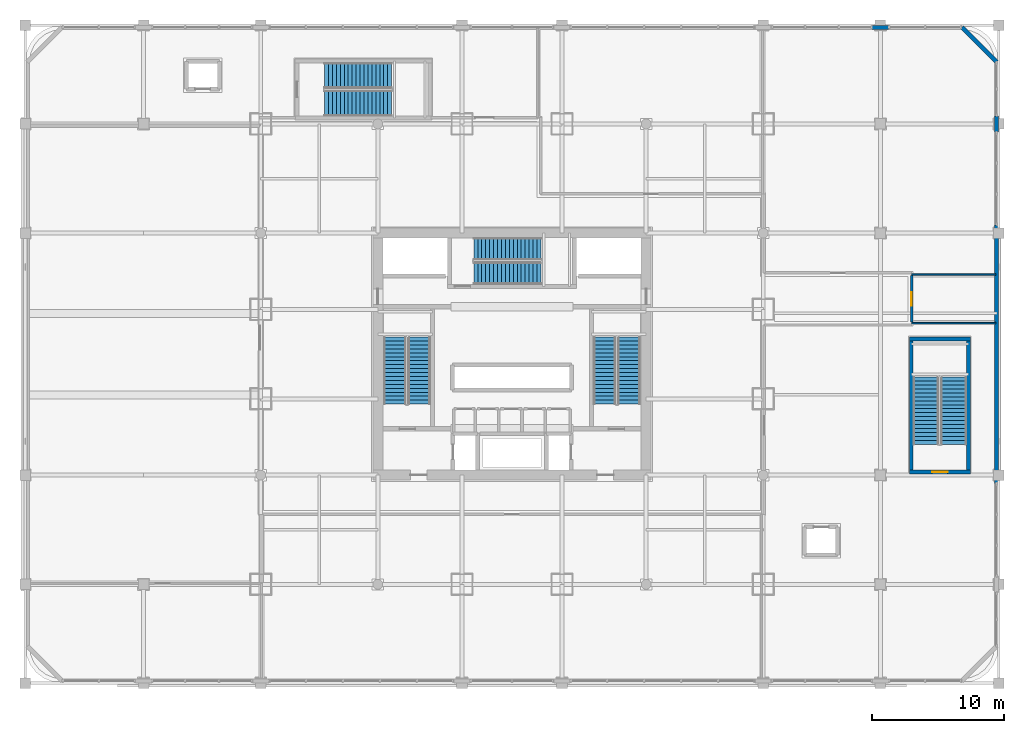
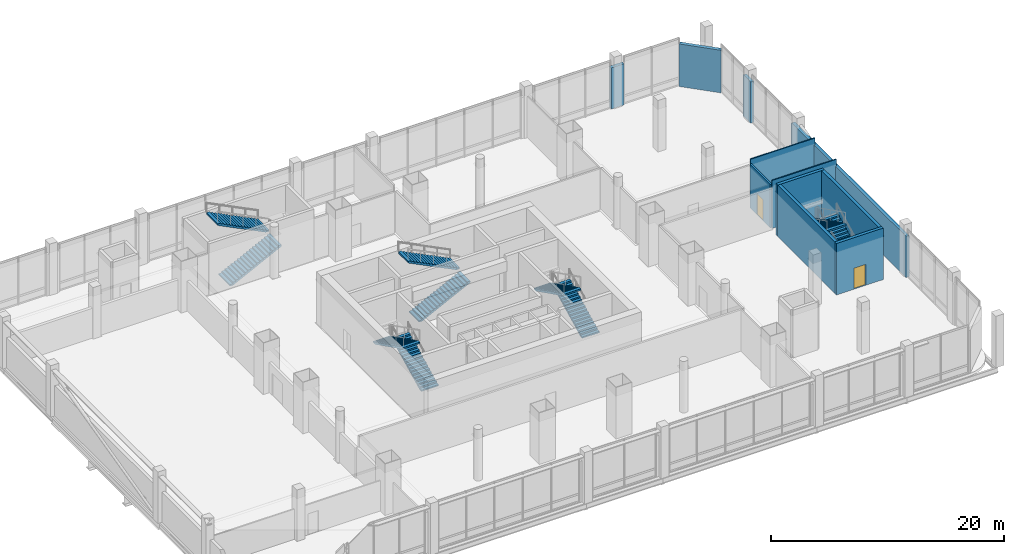
# One storey, part 25 of 35: 11 walls, 10 stair flights, 2 doors, 2 openings, 5 elements without a shape of their own.
"""IFC4 building model written with IfcOpenShell, lengths in metres."""

from ifc_helpers import new_model, si_unit, direction, frame, frame_2d, origin, place, context, subcontext, project, spatial, polyline, rectangle, outline, extrude, material, layer, layer_set, type_object, element, fill, aggregate, save


model = new_model("IFC4")

# Units and contexts
model_context = context("Model", 3, precision=1e-05, world=origin(), true_north=direction((0.0, 1.0)))
body_context = subcontext(model_context, "Body", "Model", "MODEL_VIEW")
ifc_project = project(units=[si_unit("LENGTHUNIT", "METRE"), si_unit("AREAUNIT", "SQUARE_METRE"), si_unit("VOLUMEUNIT", "CUBIC_METRE"), si_unit("PLANEANGLEUNIT", "RADIAN"), si_unit("MASSUNIT", "GRAM", prefix="KILO")], contexts=[model_context])

# Site, building, storey
site_placement = place(None, origin())
site = spatial("IfcSite", under=ifc_project, at=site_placement, CompositionType="ELEMENT")
building_placement = place(site_placement, origin())
building = spatial("IfcBuilding", under=site, at=building_placement, Name="Punatoya Terracotta Tower", CompositionType="ELEMENT")
storey_placement = place(building_placement, frame((0.0, 0.0, 16.800048828125)))
storey = spatial("IfcBuildingStorey", under=building, at=storey_placement, Name="L03", CompositionType="ELEMENT", Elevation=16.800048828125)

# Wall, opening, door
ifc_material_1 = material(Name="Gypsum Fireboard + Steel Stud", Category="steel")
ifc_layer_1 = layer(ifc_material_1, 0.179931640625)
ifc_layer_set_1 = layer_set([ifc_layer_1], Name="Gypsum Fireboard + Steel Stud")
wall_type_1 = type_object("IfcWallType", Name="WL-CORR-180", PredefinedType="PARTITIONING", material=ifc_layer_set_1)
wall_1_placement = place(storey_placement, frame((30.3798828125, 2.43994140625, 0.0), z_axis=(0.0, 0.0, 1.0), x_axis=(0.0, 1.0, 0.0)))
wall_1 = element("IfcWall", 1, at=wall_1_placement, inside=storey, type_object=wall_type_1, Name="L03 East Breakout Briefing Room Partition 31", PredefinedType="PARTITIONING", context=body_context, shape_type="SweptSolid", body=[
    extrude(rectangle(XDim=3.52001953125, YDim=0.179931640625, at=frame_2d((1.760009765625, 0.0))), origin(), (0.0, 0.0, 1.0), 4.56396484375),
])
opening_1_placement = place(wall_1_placement, frame((1.25, 0.0, 0.0)))
opening_1 = element("IfcOpeningElement", 2, at=opening_1_placement, cuts=wall_1, Name="Opening MD-01", PredefinedType="OPENING", context=body_context, shape_type="SweptSolid", body=[
    extrude(rectangle(XDim=1.02001953125, YDim=2.199951171875, at=frame_2d((0.510009765625, 1.10009765625))), frame((0.0, 0.099853515625, 0.0), z_axis=(0.0, -1.0, 0.0), x_axis=(1.0, 0.0, 0.0)), (0.0, 0.0, 1.0), 0.199951171875),
])
ifc_material_2 = material(Name="Aluminium + Acoustic Glass Leaf", Category="aluminium")
door_type_1 = type_object("IfcDoorType", Name="DR-MTG-1020", OperationType="NOTDEFINED", PredefinedType="DOOR", material=ifc_material_2)
door_1_placement = place(opening_1_placement, origin())
door_1 = element("IfcDoor", 3, at=door_1_placement, inside=storey, type_object=door_type_1, Name="L03 East Breakout Briefing Room Door", OperationType="SINGLE_SWING_RIGHT", OverallHeight=2.199951171875, OverallWidth=1.02001953125, PredefinedType="DOOR", context=body_context, shape_type="SweptSolid", body=[
    extrude(rectangle(XDim=1.02001953125, YDim=2.199951171875, at=frame_2d((0.510009765625, 1.10009765625))), frame((0.0, 0.02490234375, 0.0), z_axis=(0.0, -1.0, 0.0), x_axis=(1.0, 0.0, 0.0)), (0.0, 0.0, 1.0), 0.050048828125),
])
fill(opening_1, door_1)

# Walls
ifc_material_3 = material(Name="Precast concrete C40/50", Category="concrete")
ifc_layer_2 = layer(ifc_material_3, 0.320068359375)
ifc_layer_set_2 = layer_set([ifc_layer_2], Name="Precast concrete C40/50")
wall_type_2 = type_object("IfcWallType", Name="WL-EXT-320", PredefinedType="SOLIDWALL", material=ifc_layer_set_2)
wall_2_placement = place(storey_placement, frame((28.6201171875, 24.840087890625, 0.0), z_axis=(0.0, 0.0, 1.0), x_axis=(-1.0, 0.0, 0.0)))
element("IfcWall", 4, at=wall_2_placement, inside=storey, type_object=wall_type_2, Name="L03 North Column Cladding Pier 6", PredefinedType="SOLIDWALL", context=body_context, shape_type="SweptSolid", body=[
    extrude(rectangle(XDim=1.240234375, YDim=0.320068359375, at=frame_2d((0.6201171875, 0.0))), origin(), (0.0, 0.0, 1.0), 4.31396484375),
])
wall_3_placement = place(storey_placement, frame((36.840087890625, 9.820068359375, 0.0), z_axis=(0.0, 0.0, 1.0), x_axis=(0.0, -1.0, 0.0)))
element("IfcWall", 5, at=wall_3_placement, inside=storey, type_object=wall_type_2, Name="L03 East Braced Terracotta Shear Wall", PredefinedType="SOLIDWALL", context=body_context, shape_type="SweptSolid", body=[
    extrude(rectangle(XDim=19.64013671875, YDim=0.320068359375, at=frame_2d((9.820068359375, 0.0))), origin(), (0.0, 0.0, 1.0), 4.31396484375),
])
wall_4_placement = place(storey_placement, frame((36.840087890625, 18.1201171875, 0.0), z_axis=(0.0, 0.0, 1.0), x_axis=(0.0, -1.0, 0.0)))
element("IfcWall", 6, at=wall_4_placement, inside=storey, type_object=wall_type_2, Name="L03 East Pier 11-G", PredefinedType="SOLIDWALL", context=body_context, shape_type="SweptSolid", body=[
    extrude(rectangle(XDim=1.240234375, YDim=0.320068359375, at=frame_2d((0.6201171875, 0.0))), origin(), (0.0, 0.0, 1.0), 4.31396484375),
])
wall_5_placement = place(storey_placement, frame((34.199951171875, 24.840087890625, 0.0), z_axis=(0.0, 0.0, 1.0), x_axis=(0.707106781187, -0.707106781187, 0.0)))
element("IfcWall", 7, at=wall_5_placement, inside=storey, type_object=wall_type_2, Name="L03 Terracotta Corner Pier 3", PredefinedType="SOLIDWALL", context=body_context, shape_type="SweptSolid", body=[
    extrude(rectangle(XDim=3.733642578125, YDim=0.320068359375, at=frame_2d((1.86669921875, 0.0))), origin(), (0.0, 0.0, 1.0), 4.4638671875),
])
ifc_material_4 = material(Name="Gypsum Partition + Steel Stud", Category="steel")
ifc_layer_3 = layer(ifc_material_4, 0.1201171875)
ifc_layer_set_3 = layer_set([ifc_layer_3], Name="Gypsum Partition + Steel Stud")
wall_type_3 = type_object("IfcWallType", Name="WL-OFF-120", PredefinedType="PARTITIONING", material=ifc_layer_set_3)
for number, where, z_axis, x_axis, name in (
    (8, (30.3798828125, 2.360107421875, 0.0), (0.0, 0.0, 1.0), (1.0, 0.0, 0.0), "L03 South-East Townhall Seminar Room Partition 24"),
    (9, (36.780029296875, 6.0400390625, 0.0), (0.0, 0.0, 1.0), (-1.0, 0.0, 0.0), "L03 North-East Executive Directors' Office Suite Partition 25"),
):
    element("IfcWall", number, at=place(storey_placement, frame(where, z_axis=z_axis, x_axis=x_axis)), inside=storey, type_object=wall_type_3, Name=name, PredefinedType="PARTITIONING", context=body_context, shape_type="SweptSolid", body=[
        extrude(rectangle(XDim=6.400146484375, YDim=0.1201171875, at=frame_2d((3.2001953125, 0.0))), origin(), (0.0, 0.0, 1.0), 5.02001953125),
    ])

# Wall, opening, door
ifc_material_5 = material(Name="Concrete C40/50", Category="concrete")
ifc_layer_4 = layer(ifc_material_5, 0.300048828125)
ifc_layer_set_4 = layer_set([ifc_layer_4], Name="Concrete C40/50")
wall_type_4 = type_object("IfcWallType", Name="WL-SHF-300", PredefinedType="SOLIDWALL", material=ifc_layer_set_4)
wall_6_placement = place(storey_placement, frame((30.199951171875, -8.949951171875, 0.0), z_axis=(0.0, 0.0, 1.0), x_axis=(1.0, 0.0, 0.0)))
wall_6 = element("IfcWall", 10, at=wall_6_placement, inside=storey, type_object=wall_type_4, Name="L03 ST-P2 South Structural Shaft Wall", PredefinedType="SOLIDWALL", context=body_context, shape_type="SweptSolid", body=[
    extrude(rectangle(XDim=4.650146484375, YDim=0.300048828125, at=frame_2d((2.3251953125, 0.0))), origin(), (0.0, 0.0, 1.0), 5.39990234375),
])
opening_2_placement = place(wall_6_placement, frame((1.735107421875, 0.0, 0.0)))
opening_2 = element("IfcOpeningElement", 11, at=opening_2_placement, cuts=wall_6, Name="Opening SD-01", PredefinedType="OPENING", context=body_context, shape_type="SweptSolid", body=[
    extrude(rectangle(XDim=1.179931640625, YDim=2.199951171875, at=frame_2d((0.58984375, 1.10009765625))), frame((0.0, 0.159912109375, 0.0), z_axis=(0.0, -1.0, 0.0), x_axis=(1.0, 0.0, 0.0)), (0.0, 0.0, 1.0), 0.320068359375),
])
ifc_material_6 = material(Name="Galvanised Steel Pressurized Stair Fire Door", Category="steel")
door_type_2 = type_object("IfcDoorType", Name="DR-STR-1180", OperationType="NOTDEFINED", PredefinedType="DOOR", material=ifc_material_6)
door_2_placement = place(opening_2_placement, origin())
door_2 = element("IfcDoor", 12, at=door_2_placement, inside=storey, type_object=door_type_2, Name="L03 Podium Stair ST-P2 Fire Door", OperationType="SINGLE_SWING_RIGHT", OverallHeight=2.199951171875, OverallWidth=1.179931640625, PredefinedType="DOOR", context=body_context, shape_type="SweptSolid", body=[
    extrude(rectangle(XDim=1.179931640625, YDim=2.199951171875, at=frame_2d((0.58984375, 1.10009765625))), frame((0.0, 0.02490234375, 0.0), z_axis=(0.0, -1.0, 0.0), x_axis=(1.0, 0.0, 0.0)), (0.0, 0.0, 1.0), 0.050048828125),
])
fill(opening_2, door_2)

# Walls
wall_7_placement = place(storey_placement, frame((34.85009765625, 1.14990234375, 0.0), z_axis=(0.0, 0.0, 1.0), x_axis=(-1.0, 0.0, 0.0)))
element("IfcWall", 13, at=wall_7_placement, inside=storey, type_object=wall_type_4, Name="L03 ST-P2 North Structural Shaft Wall", PredefinedType="SOLIDWALL", context=body_context, shape_type="SweptSolid", body=[
    extrude(rectangle(XDim=4.650146484375, YDim=0.300048828125, at=frame_2d((2.3251953125, 0.0))), origin(), (0.0, 0.0, 1.0), 5.39990234375),
])
for number, where, z_axis, x_axis, name in (
    (14, (30.35009765625, -8.800048828125, 0.0), (0.0, 0.0, 1.0), (0.0, 1.0, 0.0), "L03 ST-P2 West Structural Shaft Wall"),
    (15, (34.699951171875, 1.0, 0.0), (0.0, 0.0, 1.0), (0.0, -1.0, 0.0), "L03 ST-P2 East Structural Shaft Wall"),
):
    element("IfcWall", number, at=place(storey_placement, frame(where, z_axis=z_axis, x_axis=x_axis)), inside=storey, type_object=wall_type_4, Name=name, PredefinedType="SOLIDWALL", context=body_context, shape_type="SweptSolid", body=[
        extrude(rectangle(XDim=9.800048828125, YDim=0.300048828125, at=frame_2d((4.89990234375, 0.0))), origin(), (0.0, 0.0, 1.0), 5.39990234375),
    ])

# Stair, stair flights
stair_type_1 = type_object("IfcStairType", Name="STR-CORE-1550", PredefinedType="HALF_TURN_STAIR", material=ifc_material_5)
stair_1_placement = place(storey_placement, origin())
stair_1 = element("IfcStair", 16, at=stair_1_placement, inside=storey, type_object=stair_type_1, Name="L03 Protected Core Exit Stair ST-1", PredefinedType="HALF_TURN_STAIR")
stair_flight_type_1 = type_object("IfcStairFlightType", Name="SFL-CORE-1550", PredefinedType="STRAIGHT", material=ifc_material_5)
stair_flight_1_placement = place(storey_placement, frame((-7.050048828125, -3.800048828125, 0.0), z_axis=(0.0, 0.0, 1.0), x_axis=(0.0, 1.0, 0.0)))
stair_flight_1 = element("IfcStairFlight", 17, at=stair_flight_1_placement, type_object=stair_flight_type_1, Name="ST-1 flight 1", NumberOfRisers=18, NumberOfTreads=17, PredefinedType="STRAIGHT", RiserHeight=0.15, TreadLength=0.3, context=body_context, shape_type="SweptSolid", body=[
    extrude(outline(polyline([(0.0, 0.0), (0.0, 0.14990234375), (0.300048828125, 0.14990234375), (0.300048828125, 0.300048828125), (0.60009765625, 0.300048828125), (0.60009765625, 0.449951171875), (0.89990234375, 0.449951171875), (0.89990234375, 0.60009765625), (1.199951171875, 0.60009765625), (1.199951171875, 0.75), (1.5, 0.75), (1.5, 0.89990234375), (1.800048828125, 0.89990234375), (1.800048828125, 1.050048828125), (2.10009765625, 1.050048828125), (2.10009765625, 1.199951171875), (2.39990234375, 1.199951171875), (2.39990234375, 1.35009765625), (2.699951171875, 1.35009765625), (2.699951171875, 1.5), (3.0, 1.5), (3.0, 1.64990234375), (3.300048828125, 1.64990234375), (3.300048828125, 1.800048828125), (3.60009765625, 1.800048828125), (3.60009765625, 1.949951171875), (3.89990234375, 1.949951171875), (3.89990234375, 2.10009765625), (4.199951171875, 2.10009765625), (4.199951171875, 2.25), (4.5, 2.25), (4.5, 2.39990234375), (4.800048828125, 2.39990234375), (4.800048828125, 2.550048828125), (5.10009765625, 2.550048828125), (5.10009765625, 2.699951171875), (5.10009765625, 2.38232421875), (0.335205078125, 0.0), (0.0, 0.0)])), frame((0.0, 0.85009765625, 0.0), z_axis=(0.0, -1.0, 0.0), x_axis=(1.0, 0.0, 0.0)), (0.0, 0.0, 1.0), 1.699951171875),
])
stair_flight_2_placement = place(storey_placement, frame((-8.89990234375, 1.300048828125, 2.699951171875), z_axis=(0.0, 0.0, 1.0), x_axis=(0.0, -1.0, 0.0)))
stair_flight_2 = element("IfcStairFlight", 18, at=stair_flight_2_placement, type_object=stair_flight_type_1, Name="ST-1 flight 2", NumberOfRisers=18, NumberOfTreads=17, PredefinedType="STRAIGHT", RiserHeight=0.15, TreadLength=0.3, context=body_context, shape_type="SweptSolid", body=[
    extrude(outline(polyline([(0.0, 0.0), (0.0, 0.14990234375), (0.300048828125, 0.14990234375), (0.300048828125, 0.300048828125), (0.60009765625, 0.300048828125), (0.60009765625, 0.449951171875), (0.89990234375, 0.449951171875), (0.89990234375, 0.60009765625), (1.199951171875, 0.60009765625), (1.199951171875, 0.75), (1.5, 0.75), (1.5, 0.89990234375), (1.800048828125, 0.89990234375), (1.800048828125, 1.050048828125), (2.10009765625, 1.050048828125), (2.10009765625, 1.199951171875), (2.39990234375, 1.199951171875), (2.39990234375, 1.35009765625), (2.699951171875, 1.35009765625), (2.699951171875, 1.5), (3.0, 1.5), (3.0, 1.64990234375), (3.300048828125, 1.64990234375), (3.300048828125, 1.800048828125), (3.60009765625, 1.800048828125), (3.60009765625, 1.949951171875), (3.89990234375, 1.949951171875), (3.89990234375, 2.10009765625), (4.199951171875, 2.10009765625), (4.199951171875, 2.25), (4.5, 2.25), (4.5, 2.39990234375), (4.800048828125, 2.39990234375), (4.800048828125, 2.550048828125), (5.10009765625, 2.550048828125), (5.10009765625, 2.699951171875), (5.10009765625, 2.38232421875), (0.335205078125, 0.0), (0.0, 0.0)])), frame((0.0, 0.85009765625, 0.0), z_axis=(0.0, -1.0, 0.0), x_axis=(1.0, 0.0, 0.0)), (0.0, 0.0, 1.0), 1.699951171875),
])
aggregate(stair_1, [stair_flight_1, stair_flight_2])

stair_type_2 = type_object("IfcStairType", Name="STR-LOB-1650", PredefinedType="HALF_TURN_STAIR", material=ifc_material_5)
stair_2_placement = place(storey_placement, origin())
stair_2 = element("IfcStair", 19, at=stair_2_placement, inside=storey, type_object=stair_type_2, Name="L03 Protected Core Exit Stair ST-2", PredefinedType="HALF_TURN_STAIR")
stair_flight_type_2 = type_object("IfcStairFlightType", Name="SFL-LOB-1650", PredefinedType="STRAIGHT", material=ifc_material_5)
stair_flight_3_placement = place(storey_placement, frame((8.89990234375, -3.800048828125, 0.0), z_axis=(0.0, 0.0, 1.0), x_axis=(0.0, 1.0, 0.0)))
stair_flight_3 = element("IfcStairFlight", 20, at=stair_flight_3_placement, type_object=stair_flight_type_2, Name="ST-2 flight 1", NumberOfRisers=18, NumberOfTreads=17, PredefinedType="STRAIGHT", RiserHeight=0.15, TreadLength=0.3, context=body_context, shape_type="SweptSolid", body=[
    extrude(outline(polyline([(0.0, 0.0), (0.0, 0.14990234375), (0.300048828125, 0.14990234375), (0.300048828125, 0.300048828125), (0.60009765625, 0.300048828125), (0.60009765625, 0.449951171875), (0.89990234375, 0.449951171875), (0.89990234375, 0.60009765625), (1.199951171875, 0.60009765625), (1.199951171875, 0.75), (1.5, 0.75), (1.5, 0.89990234375), (1.800048828125, 0.89990234375), (1.800048828125, 1.050048828125), (2.10009765625, 1.050048828125), (2.10009765625, 1.199951171875), (2.39990234375, 1.199951171875), (2.39990234375, 1.35009765625), (2.699951171875, 1.35009765625), (2.699951171875, 1.5), (3.0, 1.5), (3.0, 1.64990234375), (3.300048828125, 1.64990234375), (3.300048828125, 1.800048828125), (3.60009765625, 1.800048828125), (3.60009765625, 1.949951171875), (3.89990234375, 1.949951171875), (3.89990234375, 2.10009765625), (4.199951171875, 2.10009765625), (4.199951171875, 2.25), (4.5, 2.25), (4.5, 2.39990234375), (4.800048828125, 2.39990234375), (4.800048828125, 2.550048828125), (5.10009765625, 2.550048828125), (5.10009765625, 2.699951171875), (5.10009765625, 2.38232421875), (0.335205078125, 0.0), (0.0, 0.0)])), frame((0.0, 0.85009765625, 0.0), z_axis=(0.0, -1.0, 0.0), x_axis=(1.0, 0.0, 0.0)), (0.0, 0.0, 1.0), 1.699951171875),
])
stair_flight_4_placement = place(storey_placement, frame((7.050048828125, 1.300048828125, 2.699951171875), z_axis=(0.0, 0.0, 1.0), x_axis=(0.0, -1.0, 0.0)))
stair_flight_4 = element("IfcStairFlight", 21, at=stair_flight_4_placement, type_object=stair_flight_type_2, Name="ST-2 flight 2", NumberOfRisers=18, NumberOfTreads=17, PredefinedType="STRAIGHT", RiserHeight=0.15, TreadLength=0.3, context=body_context, shape_type="SweptSolid", body=[
    extrude(outline(polyline([(0.0, 0.0), (0.0, 0.14990234375), (0.300048828125, 0.14990234375), (0.300048828125, 0.300048828125), (0.60009765625, 0.300048828125), (0.60009765625, 0.449951171875), (0.89990234375, 0.449951171875), (0.89990234375, 0.60009765625), (1.199951171875, 0.60009765625), (1.199951171875, 0.75), (1.5, 0.75), (1.5, 0.89990234375), (1.800048828125, 0.89990234375), (1.800048828125, 1.050048828125), (2.10009765625, 1.050048828125), (2.10009765625, 1.199951171875), (2.39990234375, 1.199951171875), (2.39990234375, 1.35009765625), (2.699951171875, 1.35009765625), (2.699951171875, 1.5), (3.0, 1.5), (3.0, 1.64990234375), (3.300048828125, 1.64990234375), (3.300048828125, 1.800048828125), (3.60009765625, 1.800048828125), (3.60009765625, 1.949951171875), (3.89990234375, 1.949951171875), (3.89990234375, 2.10009765625), (4.199951171875, 2.10009765625), (4.199951171875, 2.25), (4.5, 2.25), (4.5, 2.39990234375), (4.800048828125, 2.39990234375), (4.800048828125, 2.550048828125), (5.10009765625, 2.550048828125), (5.10009765625, 2.699951171875), (5.10009765625, 2.38232421875), (0.335205078125, 0.0), (0.0, 0.0)])), frame((0.0, 0.85009765625, 0.0), z_axis=(0.0, -1.0, 0.0), x_axis=(1.0, 0.0, 0.0)), (0.0, 0.0, 1.0), 1.699951171875),
])
aggregate(stair_2, [stair_flight_3, stair_flight_4])

stair_type_3 = type_object("IfcStairType", Name="STR-POD-1800", PredefinedType="HALF_TURN_STAIR", material=ifc_material_5)
stair_3_placement = place(storey_placement, origin())
stair_3 = element("IfcStair", 22, at=stair_3_placement, inside=storey, type_object=stair_type_3, Name="L03 Podium North-West Exit Stair ST-P1", PredefinedType="HALF_TURN_STAIR")
stair_flight_type_3 = type_object("IfcStairFlightType", Name="SFL-POD-1800", PredefinedType="STRAIGHT", material=ifc_material_5)
stair_flight_5_placement = place(storey_placement, frame((-14.25, 19.074951171875, 0.0), z_axis=(0.0, 0.0, 1.0), x_axis=(1.0, 0.0, 0.0)))
stair_flight_5 = element("IfcStairFlight", 23, at=stair_flight_5_placement, type_object=stair_flight_type_3, Name="ST-P1 flight 1", NumberOfRisers=18, NumberOfTreads=17, PredefinedType="STRAIGHT", RiserHeight=0.15, TreadLength=0.3, context=body_context, shape_type="SweptSolid", body=[
    extrude(outline(polyline([(0.0, 0.0), (0.0, 0.14990234375), (0.300048828125, 0.14990234375), (0.300048828125, 0.300048828125), (0.60009765625, 0.300048828125), (0.60009765625, 0.449951171875), (0.89990234375, 0.449951171875), (0.89990234375, 0.60009765625), (1.199951171875, 0.60009765625), (1.199951171875, 0.75), (1.5, 0.75), (1.5, 0.89990234375), (1.800048828125, 0.89990234375), (1.800048828125, 1.050048828125), (2.10009765625, 1.050048828125), (2.10009765625, 1.199951171875), (2.39990234375, 1.199951171875), (2.39990234375, 1.35009765625), (2.699951171875, 1.35009765625), (2.699951171875, 1.5), (3.0, 1.5), (3.0, 1.64990234375), (3.300048828125, 1.64990234375), (3.300048828125, 1.800048828125), (3.60009765625, 1.800048828125), (3.60009765625, 1.949951171875), (3.89990234375, 1.949951171875), (3.89990234375, 2.10009765625), (4.199951171875, 2.10009765625), (4.199951171875, 2.25), (4.5, 2.25), (4.5, 2.39990234375), (4.800048828125, 2.39990234375), (4.800048828125, 2.550048828125), (5.10009765625, 2.550048828125), (5.10009765625, 2.699951171875), (5.10009765625, 2.38232421875), (0.335205078125, 0.0), (0.0, 0.0)])), frame((0.0, 0.97509765625, 0.0), z_axis=(0.0, -1.0, 0.0), x_axis=(1.0, 0.0, 0.0)), (0.0, 0.0, 1.0), 1.949951171875),
])
stair_flight_6_placement = place(storey_placement, frame((-9.14990234375, 21.175048828125, 2.699951171875), z_axis=(0.0, 0.0, 1.0), x_axis=(-1.0, 0.0, 0.0)))
stair_flight_6 = element("IfcStairFlight", 24, at=stair_flight_6_placement, type_object=stair_flight_type_3, Name="ST-P1 flight 2", NumberOfRisers=18, NumberOfTreads=17, PredefinedType="STRAIGHT", RiserHeight=0.15, TreadLength=0.3, context=body_context, shape_type="SweptSolid", body=[
    extrude(outline(polyline([(0.0, 0.0), (0.0, 0.14990234375), (0.300048828125, 0.14990234375), (0.300048828125, 0.300048828125), (0.60009765625, 0.300048828125), (0.60009765625, 0.449951171875), (0.89990234375, 0.449951171875), (0.89990234375, 0.60009765625), (1.199951171875, 0.60009765625), (1.199951171875, 0.75), (1.5, 0.75), (1.5, 0.89990234375), (1.800048828125, 0.89990234375), (1.800048828125, 1.050048828125), (2.10009765625, 1.050048828125), (2.10009765625, 1.199951171875), (2.39990234375, 1.199951171875), (2.39990234375, 1.35009765625), (2.699951171875, 1.35009765625), (2.699951171875, 1.5), (3.0, 1.5), (3.0, 1.64990234375), (3.300048828125, 1.64990234375), (3.300048828125, 1.800048828125), (3.60009765625, 1.800048828125), (3.60009765625, 1.949951171875), (3.89990234375, 1.949951171875), (3.89990234375, 2.10009765625), (4.199951171875, 2.10009765625), (4.199951171875, 2.25), (4.5, 2.25), (4.5, 2.39990234375), (4.800048828125, 2.39990234375), (4.800048828125, 2.550048828125), (5.10009765625, 2.550048828125), (5.10009765625, 2.699951171875), (5.10009765625, 2.38232421875), (0.335205078125, 0.0), (0.0, 0.0)])), frame((0.0, 0.97509765625, 0.0), z_axis=(0.0, -1.0, 0.0), x_axis=(1.0, 0.0, 0.0)), (0.0, 0.0, 1.0), 1.949951171875),
])
aggregate(stair_3, [stair_flight_5, stair_flight_6])

stair_4_placement = place(storey_placement, origin())
stair_4 = element("IfcStair", 25, at=stair_4_placement, inside=storey, type_object=stair_type_3, Name="L03 Podium East Exit Stair ST-P2", PredefinedType="HALF_TURN_STAIR")
stair_flight_7_placement = place(storey_placement, frame((33.574951171875, -6.85009765625, 0.0), z_axis=(0.0, 0.0, 1.0), x_axis=(0.0, 1.0, 0.0)))
stair_flight_7 = element("IfcStairFlight", 26, at=stair_flight_7_placement, type_object=stair_flight_type_3, Name="ST-P2 flight 1", NumberOfRisers=18, NumberOfTreads=17, PredefinedType="STRAIGHT", RiserHeight=0.15, TreadLength=0.3, context=body_context, shape_type="SweptSolid", body=[
    extrude(outline(polyline([(0.0, 0.0), (0.0, 0.14990234375), (0.300048828125, 0.14990234375), (0.300048828125, 0.300048828125), (0.60009765625, 0.300048828125), (0.60009765625, 0.449951171875), (0.89990234375, 0.449951171875), (0.89990234375, 0.60009765625), (1.199951171875, 0.60009765625), (1.199951171875, 0.75), (1.5, 0.75), (1.5, 0.89990234375), (1.800048828125, 0.89990234375), (1.800048828125, 1.050048828125), (2.10009765625, 1.050048828125), (2.10009765625, 1.199951171875), (2.39990234375, 1.199951171875), (2.39990234375, 1.35009765625), (2.699951171875, 1.35009765625), (2.699951171875, 1.5), (3.0, 1.5), (3.0, 1.64990234375), (3.300048828125, 1.64990234375), (3.300048828125, 1.800048828125), (3.60009765625, 1.800048828125), (3.60009765625, 1.949951171875), (3.89990234375, 1.949951171875), (3.89990234375, 2.10009765625), (4.199951171875, 2.10009765625), (4.199951171875, 2.25), (4.5, 2.25), (4.5, 2.39990234375), (4.800048828125, 2.39990234375), (4.800048828125, 2.550048828125), (5.10009765625, 2.550048828125), (5.10009765625, 2.699951171875), (5.10009765625, 2.38232421875), (0.335205078125, 0.0), (0.0, 0.0)])), frame((0.0, 0.97509765625, 0.0), z_axis=(0.0, -1.0, 0.0), x_axis=(1.0, 0.0, 0.0)), (0.0, 0.0, 1.0), 1.949951171875),
])
stair_flight_8_placement = place(storey_placement, frame((31.47509765625, -1.75, 2.699951171875), z_axis=(0.0, 0.0, 1.0), x_axis=(0.0, -1.0, 0.0)))
stair_flight_8 = element("IfcStairFlight", 27, at=stair_flight_8_placement, type_object=stair_flight_type_3, Name="ST-P2 flight 2", NumberOfRisers=18, NumberOfTreads=17, PredefinedType="STRAIGHT", RiserHeight=0.15, TreadLength=0.3, context=body_context, shape_type="SweptSolid", body=[
    extrude(outline(polyline([(0.0, 0.0), (0.0, 0.14990234375), (0.300048828125, 0.14990234375), (0.300048828125, 0.300048828125), (0.60009765625, 0.300048828125), (0.60009765625, 0.449951171875), (0.89990234375, 0.449951171875), (0.89990234375, 0.60009765625), (1.199951171875, 0.60009765625), (1.199951171875, 0.75), (1.5, 0.75), (1.5, 0.89990234375), (1.800048828125, 0.89990234375), (1.800048828125, 1.050048828125), (2.10009765625, 1.050048828125), (2.10009765625, 1.199951171875), (2.39990234375, 1.199951171875), (2.39990234375, 1.35009765625), (2.699951171875, 1.35009765625), (2.699951171875, 1.5), (3.0, 1.5), (3.0, 1.64990234375), (3.300048828125, 1.64990234375), (3.300048828125, 1.800048828125), (3.60009765625, 1.800048828125), (3.60009765625, 1.949951171875), (3.89990234375, 1.949951171875), (3.89990234375, 2.10009765625), (4.199951171875, 2.10009765625), (4.199951171875, 2.25), (4.5, 2.25), (4.5, 2.39990234375), (4.800048828125, 2.39990234375), (4.800048828125, 2.550048828125), (5.10009765625, 2.550048828125), (5.10009765625, 2.699951171875), (5.10009765625, 2.38232421875), (0.335205078125, 0.0), (0.0, 0.0)])), frame((0.0, 0.97509765625, 0.0), z_axis=(0.0, -1.0, 0.0), x_axis=(1.0, 0.0, 0.0)), (0.0, 0.0, 1.0), 1.949951171875),
])
aggregate(stair_4, [stair_flight_7, stair_flight_8])

stair_type_4 = type_object("IfcStairType", Name="STR-TER-1450", PredefinedType="HALF_TURN_STAIR", material=ifc_material_5)
stair_5_placement = place(storey_placement, origin())
stair_5 = element("IfcStair", 28, at=stair_5_placement, inside=storey, type_object=stair_type_4, Name="L03 Protected Core Exit Stair ST-3", PredefinedType="HALF_TURN_STAIR")
stair_flight_type_4 = type_object("IfcStairFlightType", Name="SFL-TER-1450", PredefinedType="STRAIGHT", material=ifc_material_5)
stair_flight_9_placement = place(storey_placement, frame((-2.89990234375, 6.14990234375, 0.0), z_axis=(0.0, 0.0, 1.0), x_axis=(1.0, 0.0, 0.0)))
stair_flight_9 = element("IfcStairFlight", 29, at=stair_flight_9_placement, type_object=stair_flight_type_4, Name="ST-3 flight 1", NumberOfRisers=18, NumberOfTreads=17, PredefinedType="STRAIGHT", RiserHeight=0.15, TreadLength=0.3, context=body_context, shape_type="SweptSolid", body=[
    extrude(outline(polyline([(0.0, 0.0), (0.0, 0.14990234375), (0.300048828125, 0.14990234375), (0.300048828125, 0.300048828125), (0.60009765625, 0.300048828125), (0.60009765625, 0.449951171875), (0.89990234375, 0.449951171875), (0.89990234375, 0.60009765625), (1.199951171875, 0.60009765625), (1.199951171875, 0.75), (1.5, 0.75), (1.5, 0.89990234375), (1.800048828125, 0.89990234375), (1.800048828125, 1.050048828125), (2.10009765625, 1.050048828125), (2.10009765625, 1.199951171875), (2.39990234375, 1.199951171875), (2.39990234375, 1.35009765625), (2.699951171875, 1.35009765625), (2.699951171875, 1.5), (3.0, 1.5), (3.0, 1.64990234375), (3.300048828125, 1.64990234375), (3.300048828125, 1.800048828125), (3.60009765625, 1.800048828125), (3.60009765625, 1.949951171875), (3.89990234375, 1.949951171875), (3.89990234375, 2.10009765625), (4.199951171875, 2.10009765625), (4.199951171875, 2.25), (4.5, 2.25), (4.5, 2.39990234375), (4.800048828125, 2.39990234375), (4.800048828125, 2.550048828125), (5.10009765625, 2.550048828125), (5.10009765625, 2.699951171875), (5.10009765625, 2.38232421875), (0.335205078125, 0.0), (0.0, 0.0)])), frame((0.0, 0.85009765625, 0.0), z_axis=(0.0, -1.0, 0.0), x_axis=(1.0, 0.0, 0.0)), (0.0, 0.0, 1.0), 1.699951171875),
])
stair_flight_10_placement = place(storey_placement, frame((2.199951171875, 8.0, 2.699951171875), z_axis=(0.0, 0.0, 1.0), x_axis=(-1.0, 0.0, 0.0)))
stair_flight_10 = element("IfcStairFlight", 30, at=stair_flight_10_placement, type_object=stair_flight_type_4, Name="ST-3 flight 2", NumberOfRisers=18, NumberOfTreads=17, PredefinedType="STRAIGHT", RiserHeight=0.15, TreadLength=0.3, context=body_context, shape_type="SweptSolid", body=[
    extrude(outline(polyline([(0.0, 0.0), (0.0, 0.14990234375), (0.300048828125, 0.14990234375), (0.300048828125, 0.300048828125), (0.60009765625, 0.300048828125), (0.60009765625, 0.449951171875), (0.89990234375, 0.449951171875), (0.89990234375, 0.60009765625), (1.199951171875, 0.60009765625), (1.199951171875, 0.75), (1.5, 0.75), (1.5, 0.89990234375), (1.800048828125, 0.89990234375), (1.800048828125, 1.050048828125), (2.10009765625, 1.050048828125), (2.10009765625, 1.199951171875), (2.39990234375, 1.199951171875), (2.39990234375, 1.35009765625), (2.699951171875, 1.35009765625), (2.699951171875, 1.5), (3.0, 1.5), (3.0, 1.64990234375), (3.300048828125, 1.64990234375), (3.300048828125, 1.800048828125), (3.60009765625, 1.800048828125), (3.60009765625, 1.949951171875), (3.89990234375, 1.949951171875), (3.89990234375, 2.10009765625), (4.199951171875, 2.10009765625), (4.199951171875, 2.25), (4.5, 2.25), (4.5, 2.39990234375), (4.800048828125, 2.39990234375), (4.800048828125, 2.550048828125), (5.10009765625, 2.550048828125), (5.10009765625, 2.699951171875), (5.10009765625, 2.38232421875), (0.335205078125, 0.0), (0.0, 0.0)])), frame((0.0, 0.85009765625, 0.0), z_axis=(0.0, -1.0, 0.0), x_axis=(1.0, 0.0, 0.0)), (0.0, 0.0, 1.0), 1.699951171875),
])
aggregate(stair_5, [stair_flight_9, stair_flight_10])

save(model, "model.ifc")
